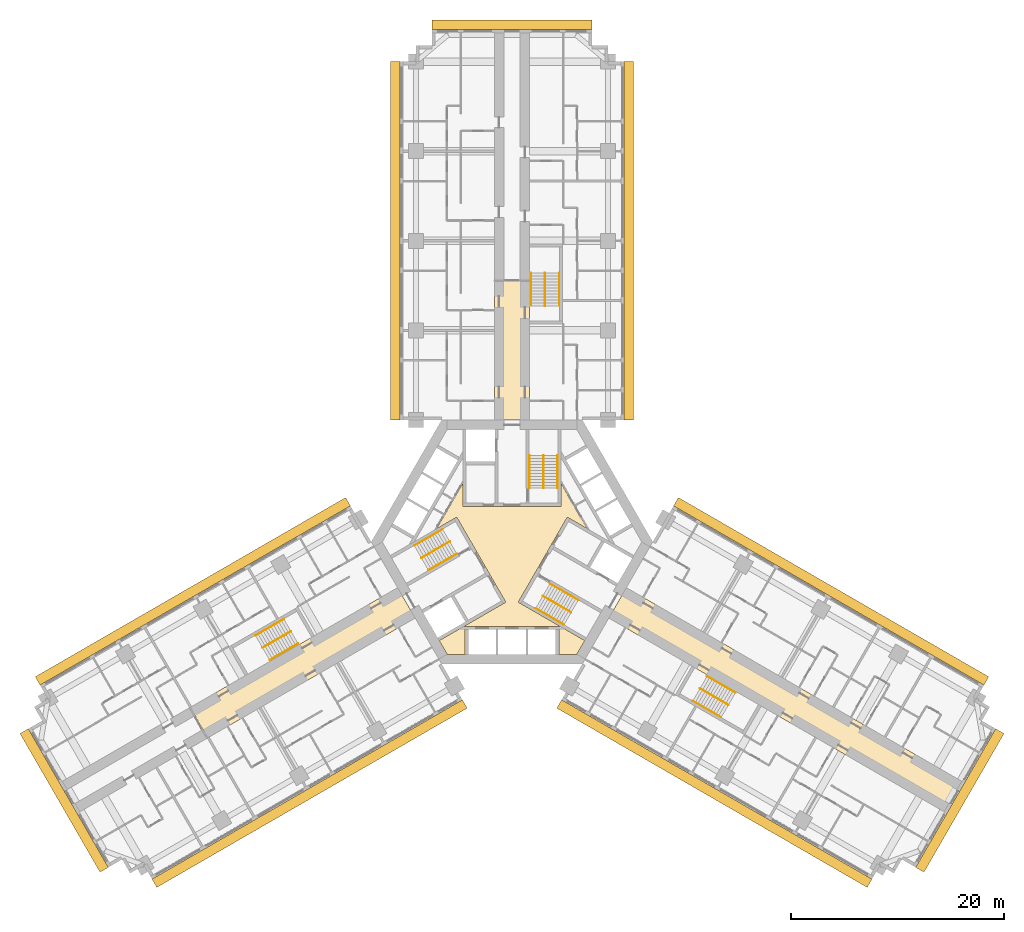
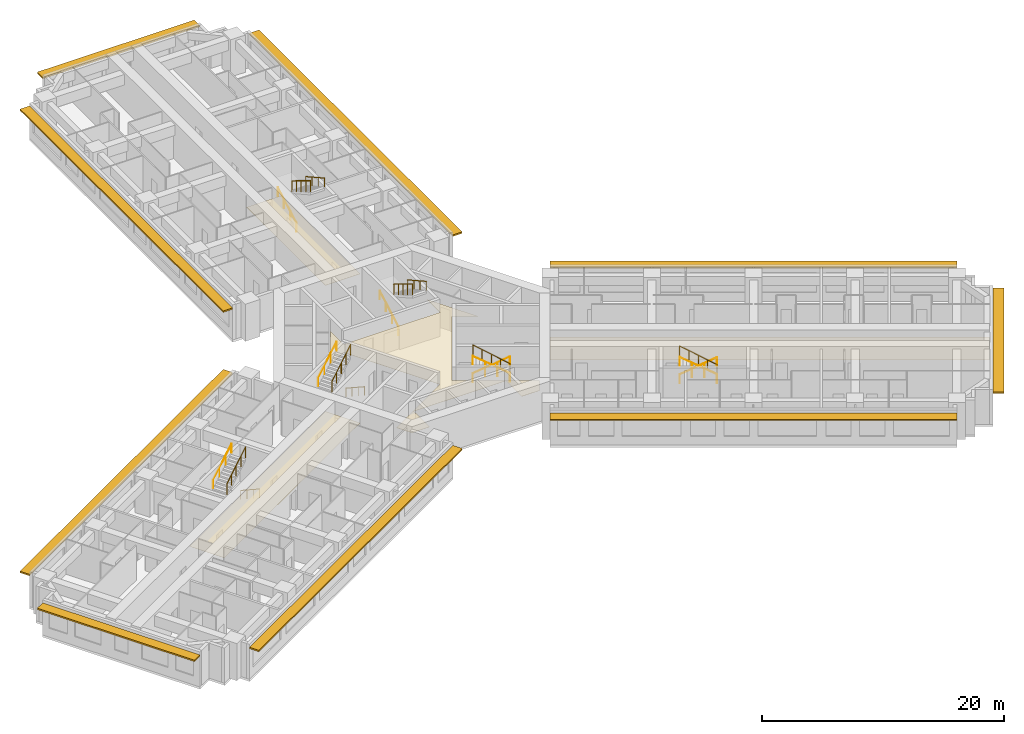
# One storey, part 16 of 16: 18 railings, 4 coverings, 3 shading devices.
"""IFC4 building model written with IfcOpenShell, lengths in metres."""

from ifc_helpers import new_model, si_unit, direction, frame, origin, origin_2d, place, context, subcontext, project, spatial, polyline, rectangle, circle, outline, extrude, material, layer, layer_set, type_object, element, save


model = new_model("IFC4")

# Units and contexts
model_context = context("Model", 3, precision=1e-05, world=origin(), true_north=direction((0.0, 1.0)))
body_context = subcontext(model_context, "Body", "Model", "MODEL_VIEW")
ifc_project = project(units=[si_unit("LENGTHUNIT", "METRE"), si_unit("AREAUNIT", "SQUARE_METRE"), si_unit("VOLUMEUNIT", "CUBIC_METRE"), si_unit("PLANEANGLEUNIT", "RADIAN"), si_unit("MASSUNIT", "GRAM", prefix="KILO")], contexts=[model_context])

# Site, building, storey
site_placement = place(None, origin())
site = spatial("IfcSite", under=ifc_project, at=site_placement, CompositionType="ELEMENT")
building_placement = place(site_placement, origin())
building = spatial("IfcBuilding", under=site, at=building_placement, Name="Impinga Residences", CompositionType="ELEMENT")
storey_placement = place(building_placement, frame((0.0, 0.0, 71.0)))
storey = spatial("IfcBuildingStorey", under=building, at=storey_placement, Name="L17", CompositionType="ELEMENT", Elevation=71.0)

# Coverings
ifc_material_1 = material(Name="Plasterboard 15 mm on steel hangers", Category="steel")
ifc_layer_1 = layer(ifc_material_1, 0.014892578125)
ifc_layer_set_1 = layer_set([ifc_layer_1], Name="Plasterboard 15 mm on steel hangers")
covering_type_1 = type_object("IfcCoveringType", Name="CL1 corridor ceiling, 15 mm plasterboard on hangers", PredefinedType="CEILING", material=ifc_layer_set_1)
covering_1_placement = place(storey_placement, frame((0.0, 0.0, 2.39990234375)))
element("IfcCovering", 1, at=covering_1_placement, inside=storey, type_object=covering_type_1, Name="Corridor ceiling CL1 L17-N00", PredefinedType="CEILING", context=body_context, shape_type="SweptSolid", body=[
    extrude(outline(polyline([(1.64990234375, 11.431640625), (-1.64990234375, 11.431640625), (-1.64990234375, 24.449951171875), (1.64990234375, 24.449951171875), (1.64990234375, 11.431640625)])), origin(), (0.0, 0.0, 1.0), 0.01513671875),
])
covering_2_placement = place(storey_placement, frame((0.0, 0.0, 2.39990234375)))
element("IfcCovering", 2, at=covering_2_placement, inside=storey, type_object=covering_type_1, Name="Corridor ceiling CL1 L17-W00", PredefinedType="CEILING", context=body_context, shape_type="SweptSolid", body=[
    extrude(outline(polyline([(-10.72509765625, -4.286865234375), (-9.074951171875, -7.144775390625), (-28.52294921875, -18.373046875), (-30.1728515625, -15.51513671875), (-10.72509765625, -4.286865234375)])), origin(), (0.0, 0.0, 1.0), 0.01513671875),
])
covering_3_placement = place(storey_placement, frame((0.0, 0.0, 2.39990234375)))
element("IfcCovering", 3, at=covering_3_placement, inside=storey, type_object=covering_type_1, Name="Corridor ceiling CL1 L17-E00", PredefinedType="CEILING", context=body_context, shape_type="SweptSolid", body=[
    extrude(outline(polyline([(10.72509765625, -4.286865234375), (9.074951171875, -7.144775390625), (40.51171875, -25.294677734375), (42.16162109375, -22.436767578125), (10.72509765625, -4.286865234375)])), origin(), (0.0, 0.0, 1.0), 0.01513671875),
])
ifc_material_2 = material(Name="Mineral fibre tiles 20 mm on exposed grid", Category="mineral fibre")
ifc_layer_2 = layer(ifc_material_2, 0.02001953125)
ifc_layer_set_2 = layer_set([ifc_layer_2], Name="CL2 lift lobby ceiling, 20 mm mineral fibre tiles")
covering_type_2 = type_object("IfcCoveringType", Name="CL2 lift lobby ceiling, 20 mm mineral fibre tiles", PredefinedType="CEILING", material=ifc_layer_set_2)
covering_4_placement = place(storey_placement, frame((0.0, 0.0, 2.39990234375)))
element("IfcCovering", 4, at=covering_4_placement, inside=storey, type_object=covering_type_2, Name="Lift lobby ceiling CL2 L17-C01", PredefinedType="CEILING", context=body_context, shape_type="SweptSolid", body=[
    extrude(outline(polyline([(6.080322265625, -10.531494140625), (4.39990234375, -10.531494140625), (4.39990234375, -7.931640625), (-4.39990234375, -7.931640625), (-4.39990234375, -10.531494140625), (-6.080322265625, -10.531494140625), (-6.820556640625, -9.24951171875), (-0.583984375, -5.648681640625), (-5.183837890625, 2.318603515625), (-7.059326171875, 1.23583984375), (-4.60009765625, 5.49560546875), (-4.60009765625, 3.330078125), (4.60009765625, 3.330078125), (4.60009765625, 5.49560546875), (7.059326171875, 1.23583984375), (5.183837890625, 2.318603515625), (0.583984375, -5.648681640625), (6.820556640625, -9.24951171875), (6.080322265625, -10.531494140625)])), origin(), (0.0, 0.0, 1.0), 0.02001953125),
])

# Railings
ifc_material_3 = material(Name="Steel guard, powder coated", Category="steel")
railing_type_1 = type_object("IfcRailingType", Name="GR1 stair guard 1100", PredefinedType="GUARDRAIL", material=ifc_material_3)
railing_1_placement = place(storey_placement, frame((2.949951171875, 8.110107421875, 1.875)))
element("IfcRailing", 5, at=railing_1_placement, inside=storey, type_object=railing_type_1, Name="Stair guard GR1 ST1 L17", PredefinedType="GUARDRAIL", context=body_context, shape_type="SweptSolid", body=[
    extrude(circle(Radius=0.02392578125, at=origin_2d()), frame((0.0, 0.0, 1.076171875), z_axis=(0.0, -0.854177636135, 0.519981313056), x_axis=(1.0, 0.0, 0.0)), (0.0, 0.0, 1.0), 3.60595703125),
    extrude(circle(Radius=0.02099609375, at=origin_2d()), origin(), (0.0, 0.0, 1.0), 1.052001953125),
    extrude(circle(Radius=0.02099609375, at=origin_2d()), frame((0.0, -0.77001953125, 0.46875)), (0.0, 0.0, 1.0), 1.052001953125),
    extrude(circle(Radius=0.02099609375, at=origin_2d()), frame((0.0, -1.5400390625, 0.9375)), (0.0, 0.0, 1.0), 1.052001953125),
    extrude(circle(Radius=0.02099609375, at=origin_2d()), frame((0.0, -2.31005859375, 1.40625)), (0.0, 0.0, 1.0), 1.052001953125),
    extrude(circle(Radius=0.02099609375, at=origin_2d()), frame((0.0, -3.080078125, 1.875)), (0.0, 0.0, 1.0), 1.052001953125),
])
railing_2_placement = place(storey_placement, frame((-8.49853515625, -1.500244140625, 1.875)))
element("IfcRailing", 6, at=railing_2_placement, inside=storey, type_object=railing_type_1, Name="Stair guard GR1 ST2 L17", PredefinedType="GUARDRAIL", context=body_context, shape_type="SweptSolid", body=[
    extrude(circle(Radius=0.02392578125, at=origin_2d()), frame((0.0, 0.0, 1.076171875), z_axis=(0.739746383972, 0.427084037168, 0.519975492303), x_axis=(-0.499992328818, 0.866029832698, 0.0)), (0.0, 0.0, 1.0), 3.60595703125),
    extrude(circle(Radius=0.02099609375, at=origin_2d()), origin(), (0.0, 0.0, 1.0), 1.052001953125),
    extrude(circle(Radius=0.02099609375, at=origin_2d()), frame((0.6669921875, 0.385009765625, 0.46875)), (0.0, 0.0, 1.0), 1.052001953125),
    extrude(circle(Radius=0.02099609375, at=origin_2d()), frame((1.333740234375, 0.77001953125, 0.9375)), (0.0, 0.0, 1.0), 1.052001953125),
    extrude(circle(Radius=0.02099609375, at=origin_2d()), frame((2.00048828125, 1.155029296875, 1.40625)), (0.0, 0.0, 1.0), 1.052001953125),
    extrude(circle(Radius=0.02099609375, at=origin_2d()), frame((2.66748046875, 1.5400390625, 1.875)), (0.0, 0.0, 1.0), 1.052001953125),
])
railing_3_placement = place(storey_placement, frame((5.548583984375, -6.60986328125, 1.875)))
element("IfcRailing", 7, at=railing_3_placement, inside=storey, type_object=railing_type_1, Name="Stair guard GR1 ST3 L17", PredefinedType="GUARDRAIL", context=body_context, shape_type="SweptSolid", body=[
    extrude(circle(Radius=0.02392578125, at=origin_2d()), frame((0.0, 0.0, 1.076171875), z_axis=(-0.739746383972, 0.427084037168, 0.519975492303), x_axis=(-0.499992328818, -0.866029832698, 0.0)), (0.0, 0.0, 1.0), 3.60595703125),
    extrude(circle(Radius=0.02099609375, at=origin_2d()), origin(), (0.0, 0.0, 1.0), 1.052001953125),
    extrude(circle(Radius=0.02099609375, at=origin_2d()), frame((-0.6669921875, 0.385009765625, 0.46875)), (0.0, 0.0, 1.0), 1.052001953125),
    extrude(circle(Radius=0.02099609375, at=origin_2d()), frame((-1.333740234375, 0.77001953125, 0.9375)), (0.0, 0.0, 1.0), 1.052001953125),
    extrude(circle(Radius=0.02099609375, at=origin_2d()), frame((-2.00048828125, 1.155029296875, 1.40625)), (0.0, 0.0, 1.0), 1.052001953125),
    extrude(circle(Radius=0.02099609375, at=origin_2d()), frame((-2.66748046875, 1.5400390625, 1.875)), (0.0, 0.0, 1.0), 1.052001953125),
])
railing_4_placement = place(storey_placement, frame((3.10009765625, 25.21142578125, 1.875)))
element("IfcRailing", 8, at=railing_4_placement, inside=storey, type_object=railing_type_1, Name="Stair guard GR1 WS1 L17", PredefinedType="GUARDRAIL", context=body_context, shape_type="SweptSolid", body=[
    extrude(circle(Radius=0.02392578125, at=origin_2d()), frame((0.0, 0.0, 1.076171875), z_axis=(0.0, -0.854159328187, 0.520011386482), x_axis=(1.0, 0.0, 0.0)), (0.0, 0.0, 1.0), 3.605712890625),
    extrude(circle(Radius=0.02099609375, at=origin_2d()), origin(), (0.0, 0.0, 1.0), 1.052001953125),
    extrude(circle(Radius=0.02099609375, at=origin_2d()), frame((0.0, -0.77001953125, 0.46875)), (0.0, 0.0, 1.0), 1.052001953125),
    extrude(circle(Radius=0.02099609375, at=origin_2d()), frame((0.0, -1.5400390625, 0.9375)), (0.0, 0.0, 1.0), 1.052001953125),
    extrude(circle(Radius=0.02099609375, at=origin_2d()), frame((0.0, -2.309814453125, 1.40625)), (0.0, 0.0, 1.0), 1.052001953125),
    extrude(circle(Radius=0.02099609375, at=origin_2d()), frame((0.0, -3.079833984375, 1.875)), (0.0, 0.0, 1.0), 1.052001953125),
])
railing_5_placement = place(storey_placement, frame((-23.3837890625, -9.921142578125, 1.875)))
element("IfcRailing", 9, at=railing_5_placement, inside=storey, type_object=railing_type_1, Name="Stair guard GR1 WS2 L17", PredefinedType="GUARDRAIL", context=body_context, shape_type="SweptSolid", body=[
    extrude(circle(Radius=0.02392578125, at=origin_2d()), frame((0.0, 0.0, 1.076171875), z_axis=(0.739715726454, 0.427105428144, 0.52000153585), x_axis=(-0.500026652407, 0.866010015463, 0.0)), (0.0, 0.0, 1.0), 3.605712890625),
    extrude(circle(Radius=0.02099609375, at=origin_2d()), origin(), (0.0, 0.0, 1.0), 1.052001953125),
    extrude(circle(Radius=0.02099609375, at=origin_2d()), frame((0.666748046875, 0.385009765625, 0.46875)), (0.0, 0.0, 1.0), 1.052001953125),
    extrude(circle(Radius=0.02099609375, at=origin_2d()), frame((1.33349609375, 0.77001953125, 0.9375)), (0.0, 0.0, 1.0), 1.052001953125),
    extrude(circle(Radius=0.02099609375, at=origin_2d()), frame((2.00048828125, 1.155029296875, 1.40625)), (0.0, 0.0, 1.0), 1.052001953125),
    extrude(circle(Radius=0.02099609375, at=origin_2d()), frame((2.667236328125, 1.5400390625, 1.875)), (0.0, 0.0, 1.0), 1.052001953125),
])
railing_6_placement = place(storey_placement, frame((20.283935546875, -15.29052734375, 1.875)))
element("IfcRailing", 10, at=railing_6_placement, inside=storey, type_object=railing_type_1, Name="Stair guard GR1 WS3 L17", PredefinedType="GUARDRAIL", context=body_context, shape_type="SweptSolid", body=[
    extrude(circle(Radius=0.02392578125, at=origin_2d()), frame((0.0, 0.0, 1.076171875), z_axis=(-0.739746383972, 0.427084037168, 0.519975492303), x_axis=(-0.499992328818, -0.866029832698, 0.0)), (0.0, 0.0, 1.0), 3.60595703125),
    extrude(circle(Radius=0.02099609375, at=origin_2d()), origin(), (0.0, 0.0, 1.0), 1.052001953125),
    extrude(circle(Radius=0.02099609375, at=origin_2d()), frame((-0.6669921875, 0.385009765625, 0.46875)), (0.0, 0.0, 1.0), 1.052001953125),
    extrude(circle(Radius=0.02099609375, at=origin_2d()), frame((-1.333740234375, 0.77001953125, 0.9375)), (0.0, 0.0, 1.0), 1.052001953125),
    extrude(circle(Radius=0.02099609375, at=origin_2d()), frame((-2.00048828125, 1.155029296875, 1.40625)), (0.0, 0.0, 1.0), 1.052001953125),
    extrude(circle(Radius=0.02099609375, at=origin_2d()), frame((-2.66748046875, 1.5400390625, 1.875)), (0.0, 0.0, 1.0), 1.052001953125),
])
ifc_material_4 = material(Name="Steel handrail tube 42 mm, powder coated", Category="steel")
railing_type_2 = type_object("IfcRailingType", Name="HR1 stair handrail, 42 mm steel tube, 900 above the pitch line", PredefinedType="HANDRAIL", material=ifc_material_4)
railing_7_placement = place(storey_placement, frame((1.62109375, 5.030029296875, 0.15625)))
element("IfcRailing", 11, at=railing_7_placement, inside=storey, type_object=railing_type_2, Name="Stair handrail HR1 ST1 L17", PredefinedType="HANDRAIL", context=body_context, shape_type="SweptSolid", body=[
    extrude(circle(Radius=0.02099609375, at=origin_2d()), frame((0.0, 0.0, 0.87890625), z_axis=(0.0, 0.873241540666, 0.487287606713), x_axis=(-1.0, 0.0, 0.0)), (0.0, 0.0, 1.0), 3.527099609375),
    extrude(circle(Radius=0.012451171875, at=origin_2d()), origin(), (0.0, 0.0, 1.0), 0.85791015625),
    extrude(circle(Radius=0.012451171875, at=origin_2d()), frame((0.0, 1.026611328125, 0.572998046875)), (0.0, 0.0, 1.0), 0.85791015625),
    extrude(circle(Radius=0.012451171875, at=origin_2d()), frame((0.0, 2.053466796875, 1.145751953125)), (0.0, 0.0, 1.0), 0.85791015625),
    extrude(circle(Radius=0.012451171875, at=origin_2d()), frame((0.0, 3.080078125, 1.71875)), (0.0, 0.0, 1.0), 0.85791015625),
])
railing_8_placement = place(storey_placement, frame((4.279052734375, 8.110107421875, 2.03125)))
element("IfcRailing", 12, at=railing_8_placement, inside=storey, type_object=railing_type_2, Name="Stair handrail HR1 ST1 L17", PredefinedType="HANDRAIL", context=body_context, shape_type="SweptSolid", body=[
    extrude(circle(Radius=0.02099609375, at=origin_2d()), frame((0.0, 0.0, 0.87890625), z_axis=(0.0, -0.873241540666, 0.487287606713), x_axis=(1.0, 0.0, 0.0)), (0.0, 0.0, 1.0), 3.527099609375),
    extrude(circle(Radius=0.012451171875, at=origin_2d()), origin(), (0.0, 0.0, 1.0), 0.85791015625),
    extrude(circle(Radius=0.012451171875, at=origin_2d()), frame((0.0, -1.026611328125, 0.572998046875)), (0.0, 0.0, 1.0), 0.85791015625),
    extrude(circle(Radius=0.012451171875, at=origin_2d()), frame((0.0, -2.053466796875, 1.145751953125)), (0.0, 0.0, 1.0), 0.85791015625),
    extrude(circle(Radius=0.012451171875, at=origin_2d()), frame((0.0, -3.080078125, 1.71875)), (0.0, 0.0, 1.0), 0.85791015625),
])
railing_9_placement = place(storey_placement, frame((-5.16650390625, -1.111083984375, 0.15625)))
element("IfcRailing", 13, at=railing_9_placement, inside=storey, type_object=railing_type_2, Name="Stair handrail HR1 ST2 L17", PredefinedType="HANDRAIL", context=body_context, shape_type="SweptSolid", body=[
    extrude(circle(Radius=0.02099609375, at=origin_2d()), frame((0.0, 0.0, 0.87890625), z_axis=(-0.756255980417, -0.436615662133, 0.487281905742), x_axis=(0.499992328818, -0.866029832698, 0.0)), (0.0, 0.0, 1.0), 3.527099609375),
    extrude(circle(Radius=0.012451171875, at=origin_2d()), origin(), (0.0, 0.0, 1.0), 0.85791015625),
    extrude(circle(Radius=0.012451171875, at=origin_2d()), frame((-0.88916015625, -0.513427734375, 0.572998046875)), (0.0, 0.0, 1.0), 0.85791015625),
    extrude(circle(Radius=0.012451171875, at=origin_2d()), frame((-1.7783203125, -1.026611328125, 1.145751953125)), (0.0, 0.0, 1.0), 0.85791015625),
    extrude(circle(Radius=0.012451171875, at=origin_2d()), frame((-2.66748046875, -1.5400390625, 1.71875)), (0.0, 0.0, 1.0), 0.85791015625),
])
railing_10_placement = place(storey_placement, frame((-9.1630859375, -0.349365234375, 2.03125)))
element("IfcRailing", 14, at=railing_10_placement, inside=storey, type_object=railing_type_2, Name="Stair handrail HR1 ST2 L17", PredefinedType="HANDRAIL", context=body_context, shape_type="SweptSolid", body=[
    extrude(circle(Radius=0.02099609375, at=origin_2d()), frame((0.0, 0.0, 0.87890625), z_axis=(0.756255980417, 0.436615662133, 0.487281905742), x_axis=(-0.499992328818, 0.866029832698, 0.0)), (0.0, 0.0, 1.0), 3.527099609375),
    extrude(circle(Radius=0.012451171875, at=origin_2d()), origin(), (0.0, 0.0, 1.0), 0.85791015625),
    extrude(circle(Radius=0.012451171875, at=origin_2d()), frame((0.88916015625, 0.513427734375, 0.572998046875)), (0.0, 0.0, 1.0), 0.85791015625),
    extrude(circle(Radius=0.012451171875, at=origin_2d()), frame((1.7783203125, 1.026611328125, 1.145751953125)), (0.0, 0.0, 1.0), 0.85791015625),
    extrude(circle(Radius=0.012451171875, at=origin_2d()), frame((2.66748046875, 1.5400390625, 1.71875)), (0.0, 0.0, 1.0), 0.85791015625),
])
railing_11_placement = place(storey_placement, frame((3.545654296875, -3.9189453125, 0.15625)))
element("IfcRailing", 15, at=railing_11_placement, inside=storey, type_object=railing_type_2, Name="Stair handrail HR1 ST3 L17", PredefinedType="HANDRAIL", context=body_context, shape_type="SweptSolid", body=[
    extrude(circle(Radius=0.02099609375, at=origin_2d()), frame((0.0, 0.0, 0.87890625), z_axis=(0.756249203677, -0.436582492228, 0.487322141317), x_axis=(0.499967199496, 0.866044340336, 0.0)), (0.0, 0.0, 1.0), 3.52685546875),
    extrude(circle(Radius=0.012451171875, at=origin_2d()), origin(), (0.0, 0.0, 1.0), 0.85791015625),
    extrude(circle(Radius=0.012451171875, at=origin_2d()), frame((0.88916015625, -0.51318359375, 0.572998046875)), (0.0, 0.0, 1.0), 0.85791015625),
    extrude(circle(Radius=0.012451171875, at=origin_2d()), frame((1.778076171875, -1.026611328125, 1.145751953125)), (0.0, 0.0, 1.0), 0.85791015625),
    extrude(circle(Radius=0.012451171875, at=origin_2d()), frame((2.667236328125, -1.539794921875, 1.71875)), (0.0, 0.0, 1.0), 0.85791015625),
])
railing_12_placement = place(storey_placement, frame((4.884033203125, -7.7607421875, 2.03125)))
element("IfcRailing", 16, at=railing_12_placement, inside=storey, type_object=railing_type_2, Name="Stair handrail HR1 ST3 L17", PredefinedType="HANDRAIL", context=body_context, shape_type="SweptSolid", body=[
    extrude(circle(Radius=0.02099609375, at=origin_2d()), frame((0.0, 0.0, 0.87890625), z_axis=(-0.756255980417, 0.436615662133, 0.487281905742), x_axis=(-0.499992328818, -0.866029832698, 0.0)), (0.0, 0.0, 1.0), 3.527099609375),
    extrude(circle(Radius=0.012451171875, at=origin_2d()), origin(), (0.0, 0.0, 1.0), 0.85791015625),
    extrude(circle(Radius=0.012451171875, at=origin_2d()), frame((-0.88916015625, 0.513427734375, 0.572998046875)), (0.0, 0.0, 1.0), 0.85791015625),
    extrude(circle(Radius=0.012451171875, at=origin_2d()), frame((-1.7783203125, 1.026611328125, 1.145751953125)), (0.0, 0.0, 1.0), 0.85791015625),
    extrude(circle(Radius=0.012451171875, at=origin_2d()), frame((-2.66748046875, 1.5400390625, 1.71875)), (0.0, 0.0, 1.0), 0.85791015625),
])
railing_13_placement = place(storey_placement, frame((1.77099609375, 22.131591796875, 0.15625)))
element("IfcRailing", 17, at=railing_13_placement, inside=storey, type_object=railing_type_2, Name="Stair handrail HR1 WS1 L17", PredefinedType="HANDRAIL", context=body_context, shape_type="SweptSolid", body=[
    extrude(circle(Radius=0.02099609375, at=origin_2d()), frame((0.0, 0.0, 0.87890625), z_axis=(0.0, 0.873225103656, 0.487317061414), x_axis=(-1.0, 0.0, 0.0)), (0.0, 0.0, 1.0), 3.52685546875),
    extrude(circle(Radius=0.012451171875, at=origin_2d()), origin(), (0.0, 0.0, 1.0), 0.85791015625),
    extrude(circle(Radius=0.012451171875, at=origin_2d()), frame((0.0, 1.026611328125, 0.572998046875)), (0.0, 0.0, 1.0), 0.85791015625),
    extrude(circle(Radius=0.012451171875, at=origin_2d()), frame((0.0, 2.05322265625, 1.145751953125)), (0.0, 0.0, 1.0), 0.85791015625),
    extrude(circle(Radius=0.012451171875, at=origin_2d()), frame((0.0, 3.079833984375, 1.71875)), (0.0, 0.0, 1.0), 0.85791015625),
])
railing_14_placement = place(storey_placement, frame((4.428955078125, 25.21142578125, 2.03125)))
element("IfcRailing", 18, at=railing_14_placement, inside=storey, type_object=railing_type_2, Name="Stair handrail HR1 WS1 L17", PredefinedType="HANDRAIL", context=body_context, shape_type="SweptSolid", body=[
    extrude(circle(Radius=0.02099609375, at=origin_2d()), frame((0.0, 0.0, 0.87890625), z_axis=(0.0, -0.873225103656, 0.487317061414), x_axis=(1.0, 0.0, 0.0)), (0.0, 0.0, 1.0), 3.52685546875),
    extrude(circle(Radius=0.012451171875, at=origin_2d()), origin(), (0.0, 0.0, 1.0), 0.85791015625),
    extrude(circle(Radius=0.012451171875, at=origin_2d()), frame((0.0, -1.026611328125, 0.572998046875)), (0.0, 0.0, 1.0), 0.85791015625),
    extrude(circle(Radius=0.012451171875, at=origin_2d()), frame((0.0, -2.05322265625, 1.145751953125)), (0.0, 0.0, 1.0), 0.85791015625),
    extrude(circle(Radius=0.012451171875, at=origin_2d()), frame((0.0, -3.079833984375, 1.71875)), (0.0, 0.0, 1.0), 0.85791015625),
])
railing_15_placement = place(storey_placement, frame((-20.052001953125, -9.531982421875, 0.15625)))
element("IfcRailing", 19, at=railing_15_placement, inside=storey, type_object=railing_type_2, Name="Stair handrail HR1 WS2 L17", PredefinedType="HANDRAIL", context=body_context, shape_type="SweptSolid", body=[
    extrude(circle(Radius=0.02099609375, at=origin_2d()), frame((0.0, 0.0, 0.87890625), z_axis=(-0.756226348243, -0.436638517594, 0.487307413422), x_axis=(0.500026652407, -0.866010015463, 0.0)), (0.0, 0.0, 1.0), 3.527099609375),
    extrude(circle(Radius=0.012451171875, at=origin_2d()), origin(), (0.0, 0.0, 1.0), 0.85791015625),
    extrude(circle(Radius=0.012451171875, at=origin_2d()), frame((-0.88916015625, -0.513427734375, 0.572998046875)), (0.0, 0.0, 1.0), 0.85791015625),
    extrude(circle(Radius=0.012451171875, at=origin_2d()), frame((-1.778076171875, -1.026611328125, 1.145751953125)), (0.0, 0.0, 1.0), 0.85791015625),
    extrude(circle(Radius=0.012451171875, at=origin_2d()), frame((-2.667236328125, -1.5400390625, 1.71875)), (0.0, 0.0, 1.0), 0.85791015625),
])
railing_16_placement = place(storey_placement, frame((-24.04833984375, -8.77001953125, 2.03125)))
element("IfcRailing", 20, at=railing_16_placement, inside=storey, type_object=railing_type_2, Name="Stair handrail HR1 WS2 L17", PredefinedType="HANDRAIL", context=body_context, shape_type="SweptSolid", body=[
    extrude(circle(Radius=0.02099609375, at=origin_2d()), frame((0.0, 0.0, 0.87890625), z_axis=(0.756278834354, 0.436559638319, 0.487296631324), x_axis=(-0.499932877268, 0.866064153644, 0.0)), (0.0, 0.0, 1.0), 3.527099609375),
    extrude(circle(Radius=0.012451171875, at=origin_2d()), origin(), (0.0, 0.0, 1.0), 0.85791015625),
    extrude(circle(Radius=0.012451171875, at=origin_2d()), frame((0.88916015625, 0.51318359375, 0.572998046875)), (0.0, 0.0, 1.0), 0.85791015625),
    extrude(circle(Radius=0.012451171875, at=origin_2d()), frame((1.7783203125, 1.026611328125, 1.145751953125)), (0.0, 0.0, 1.0), 0.85791015625),
    extrude(circle(Radius=0.012451171875, at=origin_2d()), frame((2.66748046875, 1.539794921875, 1.71875)), (0.0, 0.0, 1.0), 0.85791015625),
])
railing_17_placement = place(storey_placement, frame((18.281005859375, -12.599609375, 0.15625)))
element("IfcRailing", 21, at=railing_17_placement, inside=storey, type_object=railing_type_2, Name="Stair handrail HR1 WS3 L17", PredefinedType="HANDRAIL", context=body_context, shape_type="SweptSolid", body=[
    extrude(circle(Radius=0.02099609375, at=origin_2d()), frame((0.0, 0.0, 0.87890625), z_axis=(0.756249203677, -0.436582492228, 0.487322141317), x_axis=(0.499967199496, 0.866044340336, 0.0)), (0.0, 0.0, 1.0), 3.52685546875),
    extrude(circle(Radius=0.012451171875, at=origin_2d()), origin(), (0.0, 0.0, 1.0), 0.85791015625),
    extrude(circle(Radius=0.012451171875, at=origin_2d()), frame((0.88916015625, -0.51318359375, 0.572998046875)), (0.0, 0.0, 1.0), 0.85791015625),
    extrude(circle(Radius=0.012451171875, at=origin_2d()), frame((1.778076171875, -1.026611328125, 1.145751953125)), (0.0, 0.0, 1.0), 0.85791015625),
    extrude(circle(Radius=0.012451171875, at=origin_2d()), frame((2.667236328125, -1.539794921875, 1.71875)), (0.0, 0.0, 1.0), 0.85791015625),
])
railing_18_placement = place(storey_placement, frame((19.619384765625, -16.44140625, 2.03125)))
element("IfcRailing", 22, at=railing_18_placement, inside=storey, type_object=railing_type_2, Name="Stair handrail HR1 WS3 L17", PredefinedType="HANDRAIL", context=body_context, shape_type="SweptSolid", body=[
    extrude(circle(Radius=0.02099609375, at=origin_2d()), frame((0.0, 0.0, 0.87890625), z_axis=(-0.756255980417, 0.436615662133, 0.487281905742), x_axis=(-0.499992328818, -0.866029832698, 0.0)), (0.0, 0.0, 1.0), 3.527099609375),
    extrude(circle(Radius=0.012451171875, at=origin_2d()), origin(), (0.0, 0.0, 1.0), 0.85791015625),
    extrude(circle(Radius=0.012451171875, at=origin_2d()), frame((-0.88916015625, 0.513427734375, 0.572998046875)), (0.0, 0.0, 1.0), 0.85791015625),
    extrude(circle(Radius=0.012451171875, at=origin_2d()), frame((-1.7783203125, 1.026611328125, 1.145751953125)), (0.0, 0.0, 1.0), 0.85791015625),
    extrude(circle(Radius=0.012451171875, at=origin_2d()), frame((-2.66748046875, 1.5400390625, 1.71875)), (0.0, 0.0, 1.0), 0.85791015625),
])

# Shading devices
ifc_material_5 = material(Name="Terracotta sunshade blades on aluminium brackets", Category="masonry")
ifc_layer_3 = layer(ifc_material_5, 0.14990234375)
ifc_layer_set_3 = layer_set([ifc_layer_3], Name="SS1 SUNSHADE terracotta sunshade band 900")
shading_device_type = type_object("IfcShadingDeviceType", Name="SS1 SUNSHADE terracotta sunshade band 900", PredefinedType="USERDEFINED", material=ifc_layer_set_3)
shading_device_1_placement = place(storey_placement, frame((-10.949951171875, 28.2314453125, 3.10009765625), z_axis=(0.0, 0.0, 1.0), x_axis=(0.0, 1.0, 0.0)))
element("IfcShadingDevice", 23, at=shading_device_1_placement, inside=storey, type_object=shading_device_type, Name="SUNSHADE band L17 NORTH WING", ObjectType="SUNSHADE", PredefinedType="USERDEFINED", context=body_context, shape_type="SweptSolid", body=[
    extrude(rectangle(XDim=33.60009765625, YDim=0.89990234375, at=origin_2d()), origin(), (0.0, 0.0, 1.0), 0.14990234375),
    extrude(rectangle(XDim=15.0, YDim=0.89990234375, at=origin_2d()), frame((20.25, -10.949951171875, 0.0), z_axis=(0.0, 0.0, 1.0), x_axis=(0.0, -1.0, 0.0)), (0.0, 0.0, 1.0), 0.14990234375),
    extrude(rectangle(XDim=33.60009765625, YDim=0.89990234375, at=origin_2d()), frame((0.0, -21.89990234375, 0.0), z_axis=(0.0, 0.0, 1.0), x_axis=(-1.0, 0.0, 0.0)), (0.0, 0.0, 1.0), 0.14990234375),
])
shading_device_2_placement = place(storey_placement, frame((-41.986328125, -24.24072265625, 3.10009765625), z_axis=(0.0, 0.0, 1.0), x_axis=(-0.5, 0.866025403784, 0.0)))
element("IfcShadingDevice", 24, at=shading_device_2_placement, inside=storey, type_object=shading_device_type, Name="SUNSHADE band L17 WEST WING", ObjectType="SUNSHADE", PredefinedType="USERDEFINED", context=body_context, shape_type="SweptSolid", body=[
    extrude(rectangle(XDim=15.0, YDim=0.89990234375, at=origin_2d()), origin(), (0.0, 0.0, 1.0), 0.14990234375),
    extrude(rectangle(XDim=33.60009765625, YDim=0.89990234375, at=origin_2d()), frame((10.949951171875, -20.25, 0.0), z_axis=(0.0, 0.0, 1.0), x_axis=(0.0, -1.0, 0.0)), (0.0, 0.0, 1.0), 0.14990234375),
    extrude(rectangle(XDim=33.60009765625, YDim=0.89990234375, at=origin_2d()), frame((-10.949951171875, -20.250244140625, 0.0), z_axis=(0.0, 0.0, 1.0), x_axis=(0.0, 1.0, 0.0)), (0.0, 0.0, 1.0), 0.14990234375),
])
shading_device_3_placement = place(storey_placement, frame((29.92431640625, -4.6328125, 3.10009765625), z_axis=(0.0, 0.0, 1.0), x_axis=(0.866025403784, -0.5, 0.0)))
element("IfcShadingDevice", 25, at=shading_device_3_placement, inside=storey, type_object=shading_device_type, Name="SUNSHADE band L17 EAST WING", ObjectType="SUNSHADE", PredefinedType="USERDEFINED", context=body_context, shape_type="SweptSolid", body=[
    extrude(rectangle(XDim=33.60009765625, YDim=0.89990234375, at=origin_2d()), origin(), (0.0, 0.0, 1.0), 0.14990234375),
    extrude(rectangle(XDim=15.0, YDim=0.89990234375, at=origin_2d()), frame((20.25, -10.949951171875, 0.0), z_axis=(0.0, 0.0, 1.0), x_axis=(0.0, -1.0, 0.0)), (0.0, 0.0, 1.0), 0.14990234375),
    extrude(rectangle(XDim=33.60009765625, YDim=0.89990234375, at=origin_2d()), frame((-0.000244140625, -21.89990234375, 0.0), z_axis=(0.0, 0.0, 1.0), x_axis=(-1.0, 0.0, 0.0)), (0.0, 0.0, 1.0), 0.14990234375),
])

save(model, "model.ifc")
